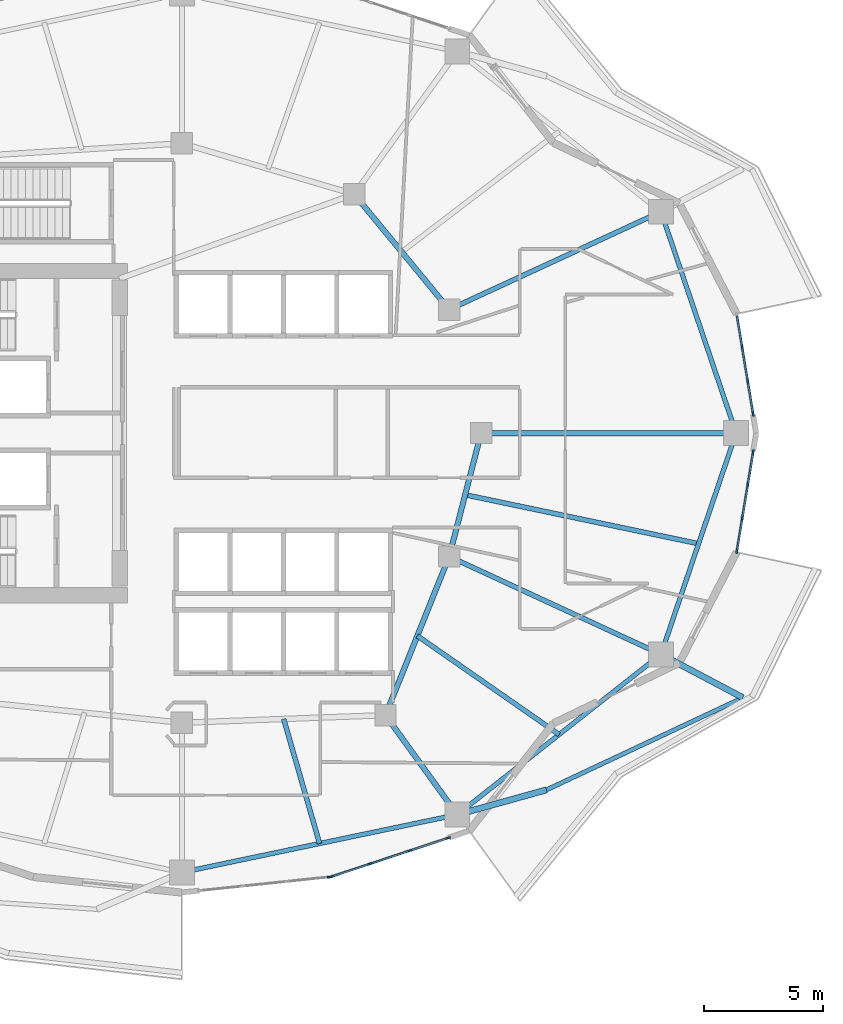
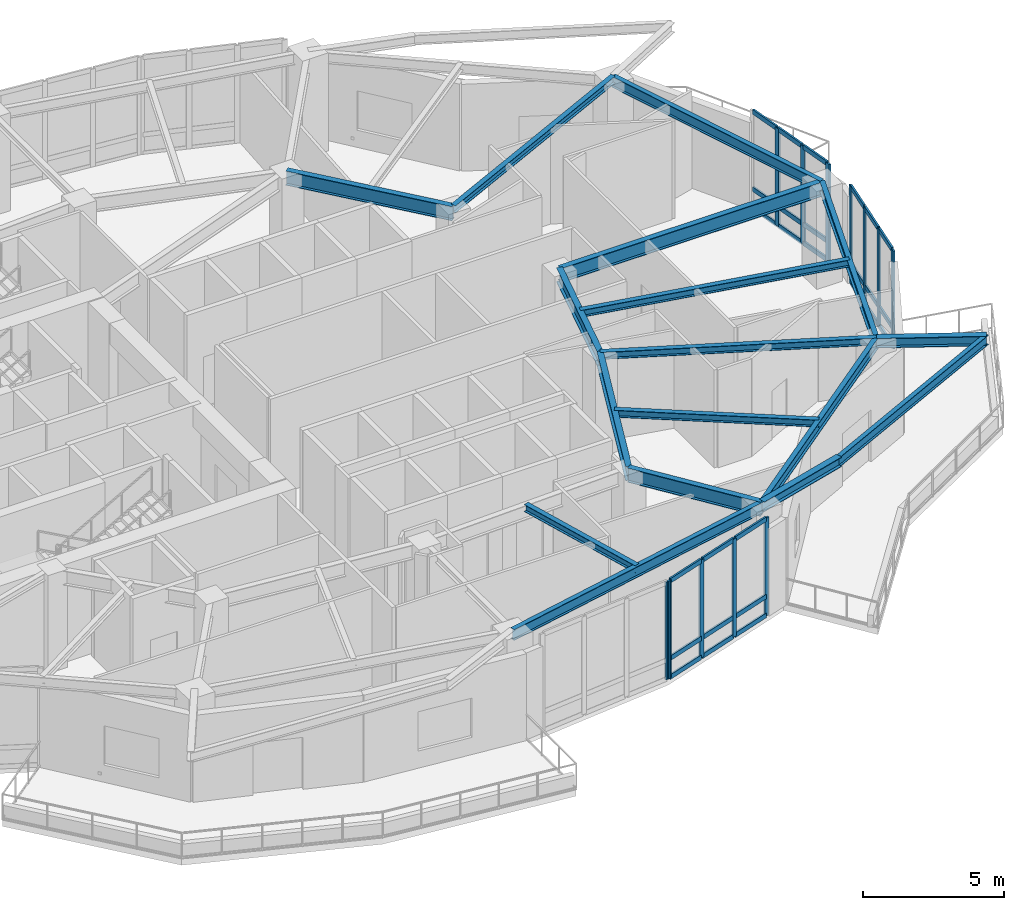
# One storey, part 4 of 16: 39 members, 17 beams, 4 elements without a shape of their own.
"""IFC4 building model written with IfcOpenShell, lengths in metres."""

from ifc_helpers import new_model, si_unit, direction, frame, origin, origin_2d, place, context, subcontext, project, spatial, rectangle, i_section, extrude, material, layer, layer_set, material_profile, profile_set, type_object, element, aggregate, save


model = new_model("IFC4")

# Units and contexts
model_context = context("Model", 3, precision=1e-05, world=origin(), true_north=direction((0.0, 1.0)))
body_context = subcontext(model_context, "Body", "Model", "MODEL_VIEW")
ifc_project = project(units=[si_unit("LENGTHUNIT", "METRE"), si_unit("AREAUNIT", "SQUARE_METRE"), si_unit("VOLUMEUNIT", "CUBIC_METRE"), si_unit("PLANEANGLEUNIT", "RADIAN"), si_unit("MASSUNIT", "GRAM", prefix="KILO")], contexts=[model_context])

# Site, building, storey
site_placement = place(None, origin())
site = spatial("IfcSite", under=ifc_project, at=site_placement, CompositionType="ELEMENT")
building_placement = place(site_placement, origin())
building = spatial("IfcBuilding", under=site, at=building_placement, Name="Kolvaren Gate Tower and Convention Centre", CompositionType="ELEMENT")
storey_placement = place(building_placement, frame((0.0, 0.0, 100.800048828125)))
storey = spatial("IfcBuildingStorey", under=building, at=storey_placement, Name="L24", CompositionType="ELEMENT", Elevation=100.800048828125)

# Curtain wall, members
ifc_material_1 = material(Name="Anodized Architectural Aluminium Alloy 6063-T6", Category="aluminium")
ifc_layer = layer(ifc_material_1, 0.199951171875)
ifc_layer_set = layer_set([ifc_layer], Name="Anodized Architectural Aluminium Alloy 6063-T6")
curtain_wall_type = type_object("IfcCurtainWallType", Name="CW-SKY-GLZ", PredefinedType="NOTDEFINED", material=ifc_layer_set)
curtain_wall_1_placement = place(storey_placement, origin())
curtain_wall_1 = element("IfcCurtainWall", 1, at=curtain_wall_1_placement, inside=storey, type_object=curtain_wall_type, Name="L24 Panoramic Structural Curtain Wall CW-00", PredefinedType="NOTDEFINED")
ifc_material_profile_1 = material_profile(ifc_material_1, rectangle(XDim=0.074951171875, YDim=0.199951171875, at=origin_2d()), Name="CW-MEM-MUL-200")
ifc_profile_set_1 = profile_set([ifc_material_profile_1], Name="Anodized Architectural Aluminium Alloy 6063-T6")
member_type_1 = type_object("IfcMemberType", Name="CW-MEM-MUL-200", PredefinedType="MULLION", material=ifc_profile_set_1)
member_1_placement = place(storey_placement, frame((53.720947265625, 30.5947265625, 0.0), z_axis=(0.0, 0.0, 1.0), x_axis=(0.986726492147, 0.162390977876, 0.0)))
member_1 = element("IfcMember", 2, at=member_1_placement, type_object=member_type_1, Name="CW-05 mullion 2", PredefinedType="MULLION", context=body_context, shape_type="SweptSolid", body=[
    extrude(rectangle(XDim=0.074951171875, YDim=0.199951171875, at=origin_2d()), origin(), (0.0, 0.0, 1.0), 4.22998046875),
])
member_2_placement = place(storey_placement, frame((53.95361328125, 29.181396484375, 0.0), z_axis=(0.0, 0.0, 1.0), x_axis=(0.986726492147, 0.162390977876, 0.0)))
member_2 = element("IfcMember", 3, at=member_2_placement, type_object=member_type_1, Name="CW-05 mullion 3", PredefinedType="MULLION", context=body_context, shape_type="SweptSolid", body=[
    extrude(rectangle(XDim=0.074951171875, YDim=0.199951171875, at=origin_2d()), origin(), (0.0, 0.0, 1.0), 4.22998046875),
])
member_3_placement = place(storey_placement, frame((54.179931640625, 27.80517578125, 0.0), z_axis=(0.0, 0.0, 1.0), x_axis=(0.986726492147, 0.162390977876, 0.0)))
member_3 = element("IfcMember", 4, at=member_3_placement, type_object=member_type_1, Name="CW-05 mullion 4", PredefinedType="MULLION", context=body_context, shape_type="SweptSolid", body=[
    extrude(rectangle(XDim=0.074951171875, YDim=0.199951171875, at=origin_2d()), origin(), (0.0, 0.0, 1.0), 4.22998046875),
])

# Curtain wall, member
curtain_wall_2_placement = place(storey_placement, origin())
curtain_wall_2 = element("IfcCurtainWall", 5, at=curtain_wall_2_placement, inside=storey, type_object=curtain_wall_type, Name="L24 Panoramic Structural Curtain Wall CW-18", PredefinedType="NOTDEFINED")
member_4_placement = place(storey_placement, frame((36.347900390625, 8.305419921875, 0.0), z_axis=(0.0, 0.0, 1.0), x_axis=(-0.104728741662, 0.994500824871, 0.0)))
member_4 = element("IfcMember", 6, at=member_4_placement, type_object=member_type_1, Name="CW-05 mullion 4", PredefinedType="MULLION", context=body_context, shape_type="SweptSolid", body=[
    extrude(rectangle(XDim=0.074951171875, YDim=0.199951171875, at=origin_2d()), origin(), (0.0, 0.0, 1.0), 4.22998046875),
])
aggregate(curtain_wall_2, [member_4])

# Curtain wall, members
curtain_wall_3_placement = place(storey_placement, origin())
curtain_wall_3 = element("IfcCurtainWall", 7, at=curtain_wall_3_placement, inside=storey, type_object=curtain_wall_type, Name="L24 Panoramic Structural Curtain Wall CW-19", PredefinedType="NOTDEFINED")
member_5_placement = place(storey_placement, frame((36.4208984375, 8.321044921875, 0.0), z_axis=(0.0, 0.0, 1.0), x_axis=(-0.314552984603, 0.949239916922, 0.0)))
member_5 = element("IfcMember", 8, at=member_5_placement, type_object=member_type_1, Name="CW-05 mullion 1", PredefinedType="MULLION", context=body_context, shape_type="SweptSolid", body=[
    extrude(rectangle(XDim=0.074951171875, YDim=0.199951171875, at=origin_2d()), origin(), (0.0, 0.0, 1.0), 4.22998046875),
])
member_6_placement = place(storey_placement, frame((38.04638671875, 8.85986328125, 0.0), z_axis=(0.0, 0.0, 1.0), x_axis=(-0.314552984603, 0.949239916922, 0.0)))
member_6 = element("IfcMember", 9, at=member_6_placement, type_object=member_type_1, Name="CW-05 mullion 2", PredefinedType="MULLION", context=body_context, shape_type="SweptSolid", body=[
    extrude(rectangle(XDim=0.074951171875, YDim=0.199951171875, at=origin_2d()), origin(), (0.0, 0.0, 1.0), 4.22998046875),
])
member_7_placement = place(storey_placement, frame((39.70751953125, 9.41015625, 0.0), z_axis=(0.0, 0.0, 1.0), x_axis=(-0.314552984603, 0.949239916922, 0.0)))
member_7 = element("IfcMember", 10, at=member_7_placement, type_object=member_type_1, Name="CW-05 mullion 3", PredefinedType="MULLION", context=body_context, shape_type="SweptSolid", body=[
    extrude(rectangle(XDim=0.074951171875, YDim=0.199951171875, at=origin_2d()), origin(), (0.0, 0.0, 1.0), 4.22998046875),
])
member_8_placement = place(storey_placement, frame((41.3330078125, 9.948974609375, 0.0), z_axis=(0.0, 0.0, 1.0), x_axis=(-0.314552984603, 0.949239916922, 0.0)))
member_8 = element("IfcMember", 11, at=member_8_placement, type_object=member_type_1, Name="CW-05 mullion 4", PredefinedType="MULLION", context=body_context, shape_type="SweptSolid", body=[
    extrude(rectangle(XDim=0.074951171875, YDim=0.199951171875, at=origin_2d()), origin(), (0.0, 0.0, 1.0), 4.22998046875),
])

curtain_wall_4_placement = place(storey_placement, origin())
curtain_wall_4 = element("IfcCurtainWall", 12, at=curtain_wall_4_placement, inside=storey, type_object=curtain_wall_type, Name="L24 Panoramic Structural Curtain Wall CW-23", PredefinedType="NOTDEFINED")
member_9_placement = place(storey_placement, frame((53.494384765625, 22.02880859375, 0.0), z_axis=(0.0, 0.0, 1.0), x_axis=(-0.986726492147, 0.162390977876, 0.0)))
member_9 = element("IfcMember", 13, at=member_9_placement, type_object=member_type_1, Name="CW-05 mullion 1", PredefinedType="MULLION", context=body_context, shape_type="SweptSolid", body=[
    extrude(rectangle(XDim=0.074951171875, YDim=0.199951171875, at=origin_2d()), origin(), (0.0, 0.0, 1.0), 4.22998046875),
])
member_10_placement = place(storey_placement, frame((53.720947265625, 23.4052734375, 0.0), z_axis=(0.0, 0.0, 1.0), x_axis=(-0.986726492147, 0.162390977876, 0.0)))
member_10 = element("IfcMember", 14, at=member_10_placement, type_object=member_type_1, Name="CW-05 mullion 2", PredefinedType="MULLION", context=body_context, shape_type="SweptSolid", body=[
    extrude(rectangle(XDim=0.074951171875, YDim=0.199951171875, at=origin_2d()), origin(), (0.0, 0.0, 1.0), 4.22998046875),
])
member_11_placement = place(storey_placement, frame((53.95361328125, 24.818603515625, 0.0), z_axis=(0.0, 0.0, 1.0), x_axis=(-0.986726492147, 0.162390977876, 0.0)))
member_11 = element("IfcMember", 15, at=member_11_placement, type_object=member_type_1, Name="CW-05 mullion 3", PredefinedType="MULLION", context=body_context, shape_type="SweptSolid", body=[
    extrude(rectangle(XDim=0.074951171875, YDim=0.199951171875, at=origin_2d()), origin(), (0.0, 0.0, 1.0), 4.22998046875),
])
member_12_placement = place(storey_placement, frame((54.179931640625, 26.19482421875, 0.0), z_axis=(0.0, 0.0, 1.0), x_axis=(-0.986726492147, 0.162390977876, 0.0)))
member_12 = element("IfcMember", 16, at=member_12_placement, type_object=member_type_1, Name="CW-05 mullion 4", PredefinedType="MULLION", context=body_context, shape_type="SweptSolid", body=[
    extrude(rectangle(XDim=0.074951171875, YDim=0.199951171875, at=origin_2d()), origin(), (0.0, 0.0, 1.0), 4.22998046875),
])

# Member
ifc_material_profile_2 = material_profile(ifc_material_1, rectangle(XDim=0.074951171875, YDim=0.199951171875, at=origin_2d()), Name="CW-MEM-TRN-200")
ifc_profile_set_2 = profile_set([ifc_material_profile_2], Name="Anodized Architectural Aluminium Alloy 6063-T6")
member_type_2 = type_object("IfcMemberType", Name="CW-MEM-TRN-200", PredefinedType="USERDEFINED", material=ifc_profile_set_2)
member_13_placement = place(storey_placement, frame((53.50048828125, 31.93408203125, 0.037353515625), z_axis=(0.162418792759, -0.986721914097, 0.0), x_axis=(0.986721914097, 0.162418792759, 0.0)))
member_13 = element("IfcMember", 17, at=member_13_placement, type_object=member_type_2, Name="CW-05 transom 1.1", ObjectType="TRANSOM", PredefinedType="USERDEFINED", context=body_context, shape_type="SweptSolid", body=[
    extrude(rectangle(XDim=0.074951171875, YDim=0.199951171875, at=origin_2d()), origin(), (0.0, 0.0, 1.0), 1.31982421875),
])

member_14_placement = place(storey_placement, frame((53.50048828125, 31.93408203125, 0.849853515625), z_axis=(0.162418792759, -0.986721914097, 0.0), x_axis=(0.986721914097, 0.162418792759, 0.0)))
member_14 = element("IfcMember", 18, at=member_14_placement, type_object=member_type_2, Name="CW-05 transom 1.2", ObjectType="TRANSOM", PredefinedType="USERDEFINED", context=body_context, shape_type="SweptSolid", body=[
    extrude(rectangle(XDim=0.074951171875, YDim=0.199951171875, at=origin_2d()), origin(), (0.0, 0.0, 1.0), 1.31982421875),
])

member_15_placement = place(storey_placement, frame((53.50048828125, 31.93408203125, 4.1923828125), z_axis=(0.162418792759, -0.986721914097, 0.0), x_axis=(0.986721914097, 0.162418792759, 0.0)))
member_15 = element("IfcMember", 19, at=member_15_placement, type_object=member_type_2, Name="CW-05 transom 1.3", ObjectType="TRANSOM", PredefinedType="USERDEFINED", context=body_context, shape_type="SweptSolid", body=[
    extrude(rectangle(XDim=0.074951171875, YDim=0.199951171875, at=origin_2d()), origin(), (0.0, 0.0, 1.0), 1.31982421875),
])

member_16_placement = place(storey_placement, frame((53.72705078125, 30.557861328125, 0.037353515625), z_axis=(0.162415312739, -0.986722486917, 0.0), x_axis=(0.986722486917, 0.162415312739, 0.0)))
member_16 = element("IfcMember", 20, at=member_16_placement, type_object=member_type_2, Name="CW-05 transom 2.1", ObjectType="TRANSOM", PredefinedType="USERDEFINED", context=body_context, shape_type="SweptSolid", body=[
    extrude(rectangle(XDim=0.074951171875, YDim=0.199951171875, at=origin_2d()), origin(), (0.0, 0.0, 1.0), 1.357421875),
])

member_17_placement = place(storey_placement, frame((53.72705078125, 30.557861328125, 0.849853515625), z_axis=(0.162415312739, -0.986722486917, 0.0), x_axis=(0.986722486917, 0.162415312739, 0.0)))
member_17 = element("IfcMember", 21, at=member_17_placement, type_object=member_type_2, Name="CW-05 transom 2.2", ObjectType="TRANSOM", PredefinedType="USERDEFINED", context=body_context, shape_type="SweptSolid", body=[
    extrude(rectangle(XDim=0.074951171875, YDim=0.199951171875, at=origin_2d()), origin(), (0.0, 0.0, 1.0), 1.357421875),
])

member_18_placement = place(storey_placement, frame((53.72705078125, 30.557861328125, 4.1923828125), z_axis=(0.162415312739, -0.986722486917, 0.0), x_axis=(0.986722486917, 0.162415312739, 0.0)))
member_18 = element("IfcMember", 22, at=member_18_placement, type_object=member_type_2, Name="CW-05 transom 2.3", ObjectType="TRANSOM", PredefinedType="USERDEFINED", context=body_context, shape_type="SweptSolid", body=[
    extrude(rectangle(XDim=0.074951171875, YDim=0.199951171875, at=origin_2d()), origin(), (0.0, 0.0, 1.0), 1.357421875),
])

member_19_placement = place(storey_placement, frame((53.95947265625, 29.14453125, 0.037353515625), z_axis=(0.162389151638, -0.986726792699, 0.0), x_axis=(0.986726792699, 0.162389151638, 0.0)))
member_19 = element("IfcMember", 23, at=member_19_placement, type_object=member_type_2, Name="CW-05 transom 3.1", ObjectType="TRANSOM", PredefinedType="USERDEFINED", context=body_context, shape_type="SweptSolid", body=[
    extrude(rectangle(XDim=0.074951171875, YDim=0.199951171875, at=origin_2d()), origin(), (0.0, 0.0, 1.0), 1.320068359375),
])

member_20_placement = place(storey_placement, frame((53.95947265625, 29.14453125, 0.849853515625), z_axis=(0.162389151638, -0.986726792699, 0.0), x_axis=(0.986726792699, 0.162389151638, 0.0)))
member_20 = element("IfcMember", 24, at=member_20_placement, type_object=member_type_2, Name="CW-05 transom 3.2", ObjectType="TRANSOM", PredefinedType="USERDEFINED", context=body_context, shape_type="SweptSolid", body=[
    extrude(rectangle(XDim=0.074951171875, YDim=0.199951171875, at=origin_2d()), origin(), (0.0, 0.0, 1.0), 1.320068359375),
])

member_21_placement = place(storey_placement, frame((53.95947265625, 29.14453125, 4.1923828125), z_axis=(0.162389151638, -0.986726792699, 0.0), x_axis=(0.986726792699, 0.162389151638, 0.0)))
member_21 = element("IfcMember", 25, at=member_21_placement, type_object=member_type_2, Name="CW-05 transom 3.3", ObjectType="TRANSOM", PredefinedType="USERDEFINED", context=body_context, shape_type="SweptSolid", body=[
    extrude(rectangle(XDim=0.074951171875, YDim=0.199951171875, at=origin_2d()), origin(), (0.0, 0.0, 1.0), 1.320068359375),
])

aggregate(curtain_wall_1, [member_1, member_2, member_3, member_13, member_14, member_15, member_16, member_17, member_18, member_19, member_20, member_21])

member_22_placement = place(storey_placement, frame((36.456298828125, 8.3330078125, 0.037353515625), z_axis=(0.94927798479, 0.314438082287, 0.0), x_axis=(-0.314438082287, 0.94927798479, 0.0)))
member_22 = element("IfcMember", 26, at=member_22_placement, type_object=member_type_2, Name="CW-05 transom 1.1", ObjectType="TRANSOM", PredefinedType="USERDEFINED", context=body_context, shape_type="SweptSolid", body=[
    extrude(rectangle(XDim=0.074951171875, YDim=0.199951171875, at=origin_2d()), origin(), (0.0, 0.0, 1.0), 1.637451171875),
])

member_23_placement = place(storey_placement, frame((36.456298828125, 8.3330078125, 0.849853515625), z_axis=(0.94927798479, 0.314438082287, 0.0), x_axis=(-0.314438082287, 0.94927798479, 0.0)))
member_23 = element("IfcMember", 27, at=member_23_placement, type_object=member_type_2, Name="CW-05 transom 1.2", ObjectType="TRANSOM", PredefinedType="USERDEFINED", context=body_context, shape_type="SweptSolid", body=[
    extrude(rectangle(XDim=0.074951171875, YDim=0.199951171875, at=origin_2d()), origin(), (0.0, 0.0, 1.0), 1.637451171875),
])

member_24_placement = place(storey_placement, frame((36.456298828125, 8.3330078125, 4.1923828125), z_axis=(0.94927798479, 0.314438082287, 0.0), x_axis=(-0.314438082287, 0.94927798479, 0.0)))
member_24 = element("IfcMember", 28, at=member_24_placement, type_object=member_type_2, Name="CW-05 transom 1.3", ObjectType="TRANSOM", PredefinedType="USERDEFINED", context=body_context, shape_type="SweptSolid", body=[
    extrude(rectangle(XDim=0.074951171875, YDim=0.199951171875, at=origin_2d()), origin(), (0.0, 0.0, 1.0), 1.637451171875),
])

member_25_placement = place(storey_placement, frame((38.08203125, 8.87158203125, 0.037353515625), z_axis=(0.94923575788, 0.314565535243, 0.0), x_axis=(-0.314565535243, 0.94923575788, 0.0)))
member_25 = element("IfcMember", 29, at=member_25_placement, type_object=member_type_2, Name="CW-05 transom 2.1", ObjectType="TRANSOM", PredefinedType="USERDEFINED", context=body_context, shape_type="SweptSolid", body=[
    extrude(rectangle(XDim=0.074951171875, YDim=0.199951171875, at=origin_2d()), origin(), (0.0, 0.0, 1.0), 1.6748046875),
])

member_26_placement = place(storey_placement, frame((38.08203125, 8.87158203125, 0.849853515625), z_axis=(0.94923575788, 0.314565535243, 0.0), x_axis=(-0.314565535243, 0.94923575788, 0.0)))
member_26 = element("IfcMember", 30, at=member_26_placement, type_object=member_type_2, Name="CW-05 transom 2.2", ObjectType="TRANSOM", PredefinedType="USERDEFINED", context=body_context, shape_type="SweptSolid", body=[
    extrude(rectangle(XDim=0.074951171875, YDim=0.199951171875, at=origin_2d()), origin(), (0.0, 0.0, 1.0), 1.6748046875),
])

member_27_placement = place(storey_placement, frame((38.08203125, 8.87158203125, 4.1923828125), z_axis=(0.94923575788, 0.314565535243, 0.0), x_axis=(-0.314565535243, 0.94923575788, 0.0)))
member_27 = element("IfcMember", 31, at=member_27_placement, type_object=member_type_2, Name="CW-05 transom 2.3", ObjectType="TRANSOM", PredefinedType="USERDEFINED", context=body_context, shape_type="SweptSolid", body=[
    extrude(rectangle(XDim=0.074951171875, YDim=0.199951171875, at=origin_2d()), origin(), (0.0, 0.0, 1.0), 1.6748046875),
])

member_28_placement = place(storey_placement, frame((39.7431640625, 9.422119140625, 0.037353515625), z_axis=(0.94927798479, 0.314438082287, 0.0), x_axis=(-0.314438082287, 0.94927798479, 0.0)))
member_28 = element("IfcMember", 32, at=member_28_placement, type_object=member_type_2, Name="CW-05 transom 3.1", ObjectType="TRANSOM", PredefinedType="USERDEFINED", context=body_context, shape_type="SweptSolid", body=[
    extrude(rectangle(XDim=0.074951171875, YDim=0.199951171875, at=origin_2d()), origin(), (0.0, 0.0, 1.0), 1.637451171875),
])

member_29_placement = place(storey_placement, frame((39.7431640625, 9.422119140625, 0.849853515625), z_axis=(0.94927798479, 0.314438082287, 0.0), x_axis=(-0.314438082287, 0.94927798479, 0.0)))
member_29 = element("IfcMember", 33, at=member_29_placement, type_object=member_type_2, Name="CW-05 transom 3.2", ObjectType="TRANSOM", PredefinedType="USERDEFINED", context=body_context, shape_type="SweptSolid", body=[
    extrude(rectangle(XDim=0.074951171875, YDim=0.199951171875, at=origin_2d()), origin(), (0.0, 0.0, 1.0), 1.637451171875),
])

member_30_placement = place(storey_placement, frame((39.7431640625, 9.422119140625, 4.1923828125), z_axis=(0.94927798479, 0.314438082287, 0.0), x_axis=(-0.314438082287, 0.94927798479, 0.0)))
member_30 = element("IfcMember", 34, at=member_30_placement, type_object=member_type_2, Name="CW-05 transom 3.3", ObjectType="TRANSOM", PredefinedType="USERDEFINED", context=body_context, shape_type="SweptSolid", body=[
    extrude(rectangle(XDim=0.074951171875, YDim=0.199951171875, at=origin_2d()), origin(), (0.0, 0.0, 1.0), 1.637451171875),
])

aggregate(curtain_wall_3, [member_5, member_6, member_7, member_8, member_22, member_23, member_24, member_25, member_26, member_27, member_28, member_29, member_30])

member_31_placement = place(storey_placement, frame((53.50048828125, 22.06591796875, 0.037353515625), z_axis=(0.162418792759, 0.986721914097, 0.0), x_axis=(-0.986721914097, 0.162418792759, 0.0)))
member_31 = element("IfcMember", 35, at=member_31_placement, type_object=member_type_2, Name="CW-05 transom 1.1", ObjectType="TRANSOM", PredefinedType="USERDEFINED", context=body_context, shape_type="SweptSolid", body=[
    extrude(rectangle(XDim=0.074951171875, YDim=0.199951171875, at=origin_2d()), origin(), (0.0, 0.0, 1.0), 1.31982421875),
])

member_32_placement = place(storey_placement, frame((53.50048828125, 22.06591796875, 0.849853515625), z_axis=(0.162418792759, 0.986721914097, 0.0), x_axis=(-0.986721914097, 0.162418792759, 0.0)))
member_32 = element("IfcMember", 36, at=member_32_placement, type_object=member_type_2, Name="CW-05 transom 1.2", ObjectType="TRANSOM", PredefinedType="USERDEFINED", context=body_context, shape_type="SweptSolid", body=[
    extrude(rectangle(XDim=0.074951171875, YDim=0.199951171875, at=origin_2d()), origin(), (0.0, 0.0, 1.0), 1.31982421875),
])

member_33_placement = place(storey_placement, frame((53.50048828125, 22.06591796875, 4.1923828125), z_axis=(0.162418792759, 0.986721914097, 0.0), x_axis=(-0.986721914097, 0.162418792759, 0.0)))
member_33 = element("IfcMember", 37, at=member_33_placement, type_object=member_type_2, Name="CW-05 transom 1.3", ObjectType="TRANSOM", PredefinedType="USERDEFINED", context=body_context, shape_type="SweptSolid", body=[
    extrude(rectangle(XDim=0.074951171875, YDim=0.199951171875, at=origin_2d()), origin(), (0.0, 0.0, 1.0), 1.31982421875),
])

member_34_placement = place(storey_placement, frame((53.72705078125, 23.442138671875, 0.037353515625), z_axis=(0.162415312739, 0.986722486917, 0.0), x_axis=(-0.986722486917, 0.162415312739, 0.0)))
member_34 = element("IfcMember", 38, at=member_34_placement, type_object=member_type_2, Name="CW-05 transom 2.1", ObjectType="TRANSOM", PredefinedType="USERDEFINED", context=body_context, shape_type="SweptSolid", body=[
    extrude(rectangle(XDim=0.074951171875, YDim=0.199951171875, at=origin_2d()), origin(), (0.0, 0.0, 1.0), 1.357421875),
])

member_35_placement = place(storey_placement, frame((53.72705078125, 23.442138671875, 0.849853515625), z_axis=(0.162415312739, 0.986722486917, 0.0), x_axis=(-0.986722486917, 0.162415312739, 0.0)))
member_35 = element("IfcMember", 39, at=member_35_placement, type_object=member_type_2, Name="CW-05 transom 2.2", ObjectType="TRANSOM", PredefinedType="USERDEFINED", context=body_context, shape_type="SweptSolid", body=[
    extrude(rectangle(XDim=0.074951171875, YDim=0.199951171875, at=origin_2d()), origin(), (0.0, 0.0, 1.0), 1.357421875),
])

member_36_placement = place(storey_placement, frame((53.72705078125, 23.442138671875, 4.1923828125), z_axis=(0.162415312739, 0.986722486917, 0.0), x_axis=(-0.986722486917, 0.162415312739, 0.0)))
member_36 = element("IfcMember", 40, at=member_36_placement, type_object=member_type_2, Name="CW-05 transom 2.3", ObjectType="TRANSOM", PredefinedType="USERDEFINED", context=body_context, shape_type="SweptSolid", body=[
    extrude(rectangle(XDim=0.074951171875, YDim=0.199951171875, at=origin_2d()), origin(), (0.0, 0.0, 1.0), 1.357421875),
])

member_37_placement = place(storey_placement, frame((53.95947265625, 24.85546875, 0.037353515625), z_axis=(0.162389151638, 0.986726792699, 0.0), x_axis=(-0.986726792699, 0.162389151638, 0.0)))
member_37 = element("IfcMember", 41, at=member_37_placement, type_object=member_type_2, Name="CW-05 transom 3.1", ObjectType="TRANSOM", PredefinedType="USERDEFINED", context=body_context, shape_type="SweptSolid", body=[
    extrude(rectangle(XDim=0.074951171875, YDim=0.199951171875, at=origin_2d()), origin(), (0.0, 0.0, 1.0), 1.320068359375),
])

member_38_placement = place(storey_placement, frame((53.95947265625, 24.85546875, 0.849853515625), z_axis=(0.162389151638, 0.986726792699, 0.0), x_axis=(-0.986726792699, 0.162389151638, 0.0)))
member_38 = element("IfcMember", 42, at=member_38_placement, type_object=member_type_2, Name="CW-05 transom 3.2", ObjectType="TRANSOM", PredefinedType="USERDEFINED", context=body_context, shape_type="SweptSolid", body=[
    extrude(rectangle(XDim=0.074951171875, YDim=0.199951171875, at=origin_2d()), origin(), (0.0, 0.0, 1.0), 1.320068359375),
])

member_39_placement = place(storey_placement, frame((53.95947265625, 24.85546875, 4.1923828125), z_axis=(0.162389151638, 0.986726792699, 0.0), x_axis=(-0.986726792699, 0.162389151638, 0.0)))
member_39 = element("IfcMember", 43, at=member_39_placement, type_object=member_type_2, Name="CW-05 transom 3.3", ObjectType="TRANSOM", PredefinedType="USERDEFINED", context=body_context, shape_type="SweptSolid", body=[
    extrude(rectangle(XDim=0.074951171875, YDim=0.199951171875, at=origin_2d()), origin(), (0.0, 0.0, 1.0), 1.320068359375),
])

aggregate(curtain_wall_4, [member_9, member_10, member_11, member_12, member_31, member_32, member_33, member_34, member_35, member_36, member_37, member_38, member_39])

# Beams
ifc_material_2 = material(Name="Structural steel ASTM A992 Grade 345 MPa", Category="steel")
ifc_material_profile_3 = material_profile(ifc_material_2, i_section(OverallWidth=0.260009765625, OverallDepth=0.419921875, WebThickness=0.013427734375, FlangeThickness=0.0224609375, at=origin_2d()), Name="W410X132")
ifc_profile_set_3 = profile_set([ifc_material_profile_3], Name="Structural steel ASTM A992 Grade 345 MPa")
beam_type_1 = type_object("IfcBeamType", Name="STR-BM-W410X132", PredefinedType="BEAM", material=ifc_profile_set_3)
for number, where, z_axis, x_axis, name in (
    (44, (41.721435546875, 10.931640625, 4.0205078125), (0.963559154052, 0.267495339479, 0.0), (-0.267495339479, 0.963559154052, 0.0), "Tower L25 Planted Balcony Outrigger Cantilever BC-4A"),
    (45, (50.30029296875, 17.681396484375, 4.0205078125), (0.883728523532, -0.467999889632, 0.0), (0.467999889632, 0.883728523532, 0.0), "Tower L25 Planted Balcony Outrigger Cantilever BC-4B"),
):
    element("IfcBeam", number, at=place(storey_placement, frame(where, z_axis=z_axis, x_axis=x_axis)), inside=storey, type_object=beam_type_1, Name=name, PredefinedType="BEAM", context=body_context, shape_type="SweptSolid", body=[
        extrude(i_section(OverallWidth=0.260009765625, OverallDepth=0.419921875, WebThickness=0.013427734375, FlangeThickness=0.0224609375, at=origin_2d()), origin(), (0.0, 0.0, 1.0), 3.89990234375),
    ])
ifc_material_profile_4 = material_profile(ifc_material_2, i_section(OverallWidth=0.22998046875, OverallDepth=0.616943359375, WebThickness=0.01318359375, FlangeThickness=0.022216796875, at=origin_2d()), Name="W610X140")
ifc_profile_set_4 = profile_set([ifc_material_profile_4], Name="Structural steel ASTM A992 Grade 345 MPa")
beam_type_2 = type_object("IfcBeamType", Name="STR-BM-W610X140", PredefinedType="BEAM", material=ifc_profile_set_4)
beam_1_placement = place(storey_placement, frame((42.72509765625, 27.0, 3.92138671875), z_axis=(-0.250091133936, -0.968222301296, 0.0), x_axis=(0.968222301296, -0.250091133936, 0.0)))
element("IfcBeam", 46, at=beam_1_placement, inside=storey, type_object=beam_type_2, Name="Tower L24 Primary Ring Girder G-01", PredefinedType="BEAM", context=body_context, shape_type="SweptSolid", body=[
    extrude(i_section(OverallWidth=0.22998046875, OverallDepth=0.616943359375, WebThickness=0.01318359375, FlangeThickness=0.022216796875, at=origin_2d()), origin(), (0.0, 0.0, 1.0), 5.3701171875),
])
beam_2_placement = place(storey_placement, frame((41.382080078125, 32.199462890625, 3.92138671875), z_axis=(-0.635884066011, 0.771784590798, 0.0), x_axis=(-0.771784590798, -0.635884066011, 0.0)))
element("IfcBeam", 47, at=beam_2_placement, inside=storey, type_object=beam_type_2, Name="Tower L24 Primary Ring Girder G-02", PredefinedType="BEAM", context=body_context, shape_type="SweptSolid", body=[
    extrude(i_section(OverallWidth=0.22998046875, OverallDepth=0.616943359375, WebThickness=0.01318359375, FlangeThickness=0.022216796875, at=origin_2d()), origin(), (0.0, 0.0, 1.0), 6.291259765625),
])
beam_3_placement = place(storey_placement, frame((38.6982421875, 15.12060546875, 3.92138671875), z_axis=(0.372811100169, 0.927907260232, 0.0), x_axis=(-0.927907260232, 0.372811100169, 0.0)))
element("IfcBeam", 48, at=beam_3_placement, inside=storey, type_object=beam_type_2, Name="Tower L24 Primary Ring Girder G-09", PredefinedType="BEAM", context=body_context, shape_type="SweptSolid", body=[
    extrude(i_section(OverallWidth=0.22998046875, OverallDepth=0.616943359375, WebThickness=0.01318359375, FlangeThickness=0.022216796875, at=origin_2d()), origin(), (0.0, 0.0, 1.0), 7.198974609375),
])
beam_4_placement = place(storey_placement, frame((42.72509765625, 27.0, 3.92138671875), z_axis=(1.0, 0.0, 0.0), x_axis=(0.0, 1.0, 0.0)))
element("IfcBeam", 49, at=beam_4_placement, inside=storey, type_object=beam_type_2, Name="Tower L24 Radial Floor Girder RB-01", PredefinedType="BEAM", context=body_context, shape_type="SweptSolid", body=[
    extrude(i_section(OverallWidth=0.22998046875, OverallDepth=0.616943359375, WebThickness=0.01318359375, FlangeThickness=0.022216796875, at=origin_2d()), origin(), (0.0, 0.0, 1.0), 10.7373046875),
])
beam_5_placement = place(storey_placement, frame((38.6982421875, 15.12060546875, 3.92138671875), z_axis=(0.585214440031, -0.810878572401, 0.0), x_axis=(0.810878572401, 0.585214440031, 0.0)))
element("IfcBeam", 50, at=beam_5_placement, inside=storey, type_object=beam_type_2, Name="Tower L24 Radial Floor Girder RB-11", PredefinedType="BEAM", context=body_context, shape_type="SweptSolid", body=[
    extrude(i_section(OverallWidth=0.22998046875, OverallDepth=0.616943359375, WebThickness=0.01318359375, FlangeThickness=0.022216796875, at=origin_2d()), origin(), (0.0, 0.0, 1.0), 5.166015625),
])
ifc_material_profile_5 = material_profile(ifc_material_2, i_section(OverallWidth=0.205078125, OverallDepth=0.31005859375, WebThickness=0.009521484375, FlangeThickness=0.016357421875, at=origin_2d()), Name="W310X74")
ifc_profile_set_5 = profile_set([ifc_material_profile_5], Name="Structural steel ASTM A992 Grade 345 MPa")
beam_type_3 = type_object("IfcBeamType", Name="STR-JS-W310X74", PredefinedType="JOIST", material=ifc_profile_set_5)
for number, where, z_axis, x_axis, name in (
    (51, (41.382080078125, 32.199462890625, 4.074951171875), (0.907841510795, 0.419313476146, 0.0), (-0.419313476146, 0.907841510795, 0.0), "Tower L24 Radial Floor Girder RB-02"),
    (52, (41.382080078125, 21.800537109375, 4.074951171875), (0.907841510795, -0.419313476146, 0.0), (0.419313476146, 0.907841510795, 0.0), "Tower L24 Radial Floor Girder RB-12"),
):
    element("IfcBeam", number, at=place(storey_placement, frame(where, z_axis=z_axis, x_axis=x_axis)), inside=storey, type_object=beam_type_3, Name=name, PredefinedType="JOIST", context=body_context, shape_type="SweptSolid", body=[
        extrude(i_section(OverallWidth=0.205078125, OverallDepth=0.31005859375, WebThickness=0.009521484375, FlangeThickness=0.016357421875, at=origin_2d()), origin(), (0.0, 0.0, 1.0), 9.823486328125),
    ])
beam_6_placement = place(storey_placement, frame((34.41162109375, 14.960205078125, 4.074951171875), z_axis=(0.27693589933, -0.960888395009, 0.0), x_axis=(0.960888395009, 0.27693589933, 0.0)))
element("IfcBeam", 53, at=beam_6_placement, inside=storey, type_object=beam_type_3, Name="Tower L24 Secondary Composite Floor Joist J-10.1", PredefinedType="JOIST", context=body_context, shape_type="SweptSolid", body=[
    extrude(i_section(OverallWidth=0.205078125, OverallDepth=0.31005859375, WebThickness=0.009521484375, FlangeThickness=0.016357421875, at=origin_2d()), origin(), (0.0, 0.0, 1.0), 5.457763671875),
])
beam_7_placement = place(storey_placement, frame((40.040283203125, 18.46044921875, 4.074951171875), z_axis=(0.820871677882, -0.571112675792, 0.0), x_axis=(0.571112675792, 0.820871677882, 0.0)))
element("IfcBeam", 54, at=beam_7_placement, inside=storey, type_object=beam_type_3, Name="Tower L24 Secondary Composite Floor Joist J-11.1", PredefinedType="JOIST", context=body_context, shape_type="SweptSolid", body=[
    extrude(i_section(OverallWidth=0.205078125, OverallDepth=0.31005859375, WebThickness=0.009521484375, FlangeThickness=0.016357421875, at=origin_2d()), origin(), (0.0, 0.0, 1.0), 7.273681640625),
])
beam_8_placement = place(storey_placement, frame((42.0537109375, 24.400146484375, 4.074951171875), z_axis=(0.978743091795, -0.205090127175, 0.0), x_axis=(0.205090127175, 0.978743091795, 0.0)))
element("IfcBeam", 55, at=beam_8_placement, inside=storey, type_object=beam_type_3, Name="Tower L24 Secondary Composite Floor Joist J-12.1", PredefinedType="JOIST", context=body_context, shape_type="SweptSolid", body=[
    extrude(i_section(OverallWidth=0.205078125, OverallDepth=0.31005859375, WebThickness=0.009521484375, FlangeThickness=0.016357421875, at=origin_2d()), origin(), (0.0, 0.0, 1.0), 10.041015625),
])
ifc_material_profile_6 = material_profile(ifc_material_2, i_section(OverallWidth=0.180908203125, OverallDepth=0.4169921875, WebThickness=0.010986328125, FlangeThickness=0.018310546875, at=origin_2d()), Name="W410X85")
ifc_profile_set_6 = profile_set([ifc_material_profile_6], Name="Structural steel ASTM A992 Grade 345 MPa")
beam_type_4 = type_object("IfcBeamType", Name="STR-SP-W410X85", PredefinedType="SPANDREL", material=ifc_profile_set_6)
beam_9_placement = place(storey_placement, frame((45.479248046875, 11.974853515625, 4.02197265625), z_axis=(0.905209664084, 0.424965250402, 0.0), x_axis=(-0.424965250402, 0.905209664084, 0.0)))
element("IfcBeam", 56, at=beam_9_placement, inside=storey, type_object=beam_type_4, Name="Tower L25 Planted Balcony Header Tie Beam BT-4", PredefinedType="SPANDREL", context=body_context, shape_type="SweptSolid", body=[
    extrude(i_section(OverallWidth=0.180908203125, OverallDepth=0.4169921875, WebThickness=0.010986328125, FlangeThickness=0.018310546875, at=origin_2d()), origin(), (0.0, 0.0, 1.0), 9.13330078125),
])
ifc_material_profile_7 = material_profile(ifc_material_2, i_section(OverallWidth=0.194091796875, OverallDepth=0.468994140625, WebThickness=0.0126953125, FlangeThickness=0.0205078125, at=origin_2d()), Name="W460X106")
ifc_profile_set_7 = profile_set([ifc_material_profile_7], Name="Structural steel ASTM A992 Grade 345 MPa")
beam_type_5 = type_object("IfcBeamType", Name="STR-SP-W460X106", PredefinedType="SPANDREL", material=ifc_profile_set_7)
beam_10_placement = place(storey_placement, frame((53.46240234375, 27.0, 3.995361328125), z_axis=(-0.321336471485, 0.946965084939, 0.0), x_axis=(-0.946965084939, -0.321336471485, 0.0)))
element("IfcBeam", 57, at=beam_10_placement, inside=storey, type_object=beam_type_5, Name="Tower L24 Perimeter Spandrel Beam SP-01", PredefinedType="SPANDREL", context=body_context, shape_type="SweptSolid", body=[
    extrude(i_section(OverallWidth=0.194091796875, OverallDepth=0.468994140625, WebThickness=0.0126953125, FlangeThickness=0.0205078125, at=origin_2d()), origin(), (0.0, 0.0, 1.0), 9.840576171875),
])
beam_11_placement = place(storey_placement, frame((30.125, 8.5, 3.995361328125), z_axis=(0.978714746947, 0.205225349578, 0.0), x_axis=(-0.205225349578, 0.978714746947, 0.0)))
element("IfcBeam", 58, at=beam_11_placement, inside=storey, type_object=beam_type_5, Name="Tower L24 Perimeter Spandrel Beam SP-10", PredefinedType="SPANDREL", context=body_context, shape_type="SweptSolid", body=[
    extrude(i_section(OverallWidth=0.194091796875, OverallDepth=0.468994140625, WebThickness=0.0126953125, FlangeThickness=0.0205078125, at=origin_2d()), origin(), (0.0, 0.0, 1.0), 11.8486328125),
])
beam_12_placement = place(storey_placement, frame((41.721435546875, 10.931640625, 3.995361328125), z_axis=(0.785907610354, 0.618343939881, 0.0), x_axis=(-0.618343939881, 0.785907610354, 0.0)))
element("IfcBeam", 59, at=beam_12_placement, inside=storey, type_object=beam_type_5, Name="Tower L24 Perimeter Spandrel Beam SP-11", PredefinedType="SPANDREL", context=body_context, shape_type="SweptSolid", body=[
    extrude(i_section(OverallWidth=0.194091796875, OverallDepth=0.468994140625, WebThickness=0.0126953125, FlangeThickness=0.0205078125, at=origin_2d()), origin(), (0.0, 0.0, 1.0), 10.915771484375),
])
beam_13_placement = place(storey_placement, frame((50.30029296875, 17.681396484375, 3.995361328125), z_axis=(0.321336471485, 0.946965084939, 0.0), x_axis=(-0.946965084939, 0.321336471485, 0.0)))
element("IfcBeam", 60, at=beam_13_placement, inside=storey, type_object=beam_type_5, Name="Tower L24 Perimeter Spandrel Beam SP-12", PredefinedType="SPANDREL", context=body_context, shape_type="SweptSolid", body=[
    extrude(i_section(OverallWidth=0.194091796875, OverallDepth=0.468994140625, WebThickness=0.0126953125, FlangeThickness=0.0205078125, at=origin_2d()), origin(), (0.0, 0.0, 1.0), 9.840576171875),
])

save(model, "model.ifc")
